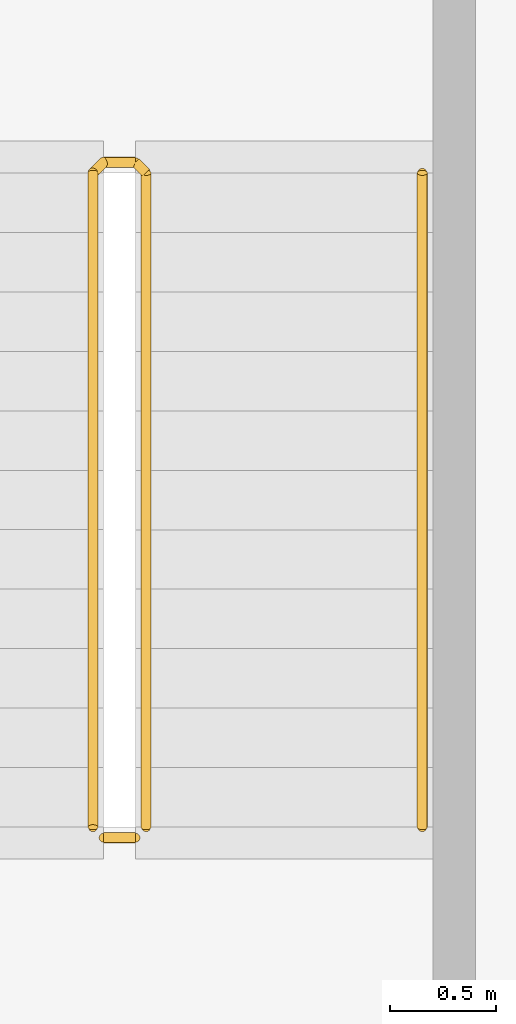
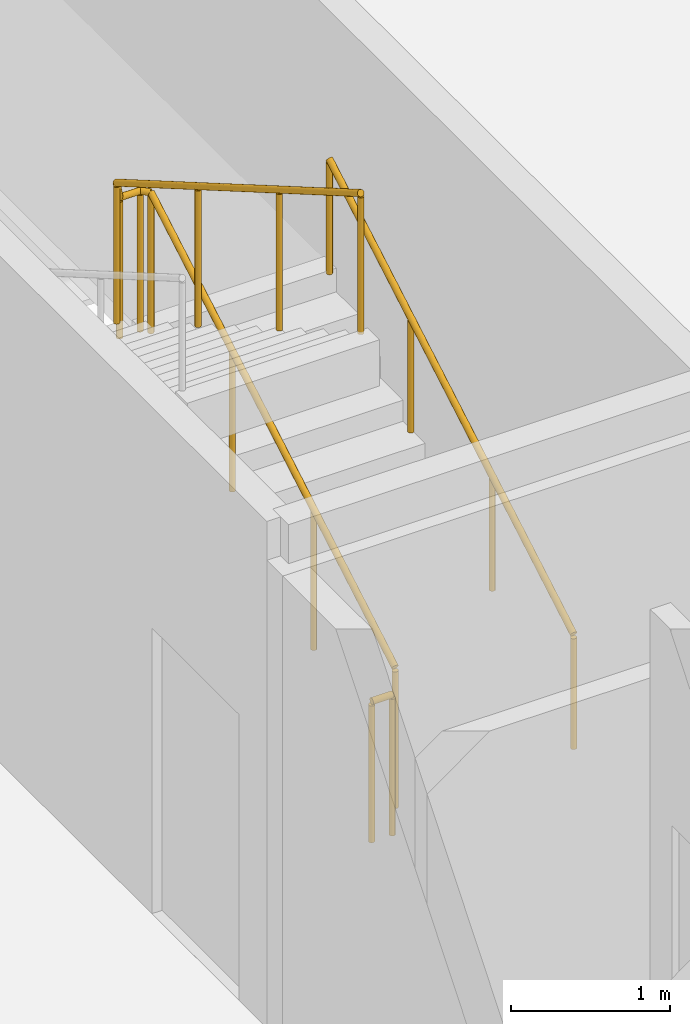
# One storey, part 18 of 19: 3 railings.
"""IFC4 building model written with IfcOpenShell, lengths in metres."""

from ifc_helpers import new_model, si_unit, direction, frame, origin, origin_2d, place, context, subcontext, project, spatial, circle, extrude, material, type_object, element, save


model = new_model("IFC4")

# Units and contexts
model_context = context("Model", 3, precision=1e-05, world=origin(), true_north=direction((0.0, 1.0)))
body_context = subcontext(model_context, "Body", "Model", "MODEL_VIEW")
ifc_project = project(units=[si_unit("LENGTHUNIT", "METRE"), si_unit("AREAUNIT", "SQUARE_METRE"), si_unit("VOLUMEUNIT", "CUBIC_METRE"), si_unit("PLANEANGLEUNIT", "RADIAN"), si_unit("MASSUNIT", "GRAM", prefix="KILO")], contexts=[model_context])

# Site, building, storey
site_placement = place(None, origin())
site = spatial("IfcSite", under=ifc_project, at=site_placement, CompositionType="ELEMENT")
building_placement = place(site_placement, origin())
building = spatial("IfcBuilding", under=site, at=building_placement, Name="Kheshtan School and Residences Tower", CompositionType="ELEMENT")
storey_placement = place(building_placement, frame((0.0, 0.0, 353.89990234375)))
storey = spatial("IfcBuildingStorey", under=building, at=storey_placement, Name="L83", CompositionType="ELEMENT", Elevation=353.89990234375)

# Railings
ifc_material_1 = material(Name="Stainless steel balustrade", Category="steel")
railing_type_1 = type_object("IfcRailingType", Name="Stair guard 1100", PredefinedType="GUARDRAIL", material=ifc_material_1)
railing_1_placement = place(storey_placement, frame((35.0, 80.89990234375, 0.16259765625)))
element("IfcRailing", 1, at=railing_1_placement, inside=storey, type_object=railing_type_1, Name="L83 ST3 stair guard 1", PredefinedType="GUARDRAIL", context=body_context, shape_type="SweptSolid", body=[
    extrude(circle(Radius=0.02392578125, at=origin_2d()), frame((0.0, 0.0, 1.076171875), z_axis=(0.0, 0.864890721111, 0.501960198159), x_axis=(-1.0, 0.0, 0.0)), (0.0, 0.0, 1.0), 3.561279296875),
    extrude(circle(Radius=0.02392578125, at=origin_2d()), frame((0.0, 3.080078125, 2.86376953125), z_axis=(-0.707106781187, 0.707106781187, 0.0), x_axis=(-0.707106781187, -0.707106781187, 0.0)), (0.0, 0.0, 1.0), 0.07080078125),
    extrude(circle(Radius=0.02392578125, at=origin_2d()), frame((-0.050048828125, 3.130126953125, 2.86376953125), z_axis=(-1.0, 0.0, 0.0), x_axis=(0.0, -1.0, 0.0)), (0.0, 0.0, 1.0), 0.14990234375),
    extrude(circle(Radius=0.02392578125, at=origin_2d()), frame((-0.199951171875, 3.130126953125, 2.86376953125), z_axis=(-0.282583949758, -0.282583949758, 0.916674763849), x_axis=(0.707106781187, -0.707106781187, 0.0)), (0.0, 0.0, 1.0), 0.177001953125),
    extrude(circle(Radius=0.02392578125, at=origin_2d()), frame((-0.25, 3.080078125, 3.02587890625), z_axis=(0.0, -0.864890721111, 0.501960198159), x_axis=(1.0, 0.0, 0.0)), (0.0, 0.0, 1.0), 3.561279296875),
    extrude(circle(Radius=0.02099609375, at=origin_2d()), origin(), (0.0, 0.0, 1.0), 1.052001953125),
    extrude(circle(Radius=0.02099609375, at=origin_2d()), frame((0.0, 1.026611328125, 0.595947265625)), (0.0, 0.0, 1.0), 1.052001953125),
    extrude(circle(Radius=0.02099609375, at=origin_2d()), frame((0.0, 2.053466796875, 1.191650390625)), (0.0, 0.0, 1.0), 1.052001953125),
    extrude(circle(Radius=0.02099609375, at=origin_2d()), frame((0.0, 3.080078125, 1.78759765625)), (0.0, 0.0, 1.0), 1.052001953125),
    extrude(circle(Radius=0.02099609375, at=origin_2d()), frame((-0.050048828125, 3.130126953125, 1.78759765625)), (0.0, 0.0, 1.0), 1.052001953125),
    extrude(circle(Radius=0.02099609375, at=origin_2d()), frame((-0.199951171875, 3.130126953125, 1.78759765625)), (0.0, 0.0, 1.0), 1.052001953125),
    extrude(circle(Radius=0.02099609375, at=origin_2d()), frame((-0.25, 3.080078125, 1.949951171875)), (0.0, 0.0, 1.0), 1.052001953125),
    extrude(circle(Radius=0.02099609375, at=origin_2d()), frame((-0.25, 2.053466796875, 2.5458984375)), (0.0, 0.0, 1.0), 1.052001953125),
    extrude(circle(Radius=0.02099609375, at=origin_2d()), frame((-0.25, 1.026611328125, 3.1416015625)), (0.0, 0.0, 1.0), 1.052001953125),
    extrude(circle(Radius=0.02099609375, at=origin_2d()), frame((-0.25, 0.0, 3.737548828125)), (0.0, 0.0, 1.0), 1.052001953125),
])
railing_2_placement = place(storey_placement, frame((34.949951171875, 80.85009765625, 0.0)))
element("IfcRailing", 2, at=railing_2_placement, inside=storey, type_object=railing_type_1, Name="L83 ST3 stair guard 2", PredefinedType="GUARDRAIL", context=body_context, shape_type="SweptSolid", body=[
    extrude(circle(Radius=0.02392578125, at=origin_2d()), frame((0.0, 0.0, 1.076171875), z_axis=(-1.0, 0.0, 0.0), x_axis=(0.0, -1.0, 0.0)), (0.0, 0.0, 1.0), 0.14990234375),
    extrude(circle(Radius=0.02099609375, at=origin_2d()), origin(), (0.0, 0.0, 1.0), 1.052001953125),
    extrude(circle(Radius=0.02099609375, at=origin_2d()), frame((-0.14990234375, 0.0, 0.0)), (0.0, 0.0, 1.0), 1.052001953125),
])
ifc_material_2 = material(Name="Stainless steel handrail", Category="steel")
railing_type_2 = type_object("IfcRailingType", Name="Stair handrail 900", PredefinedType="HANDRAIL", material=ifc_material_2)
railing_3_placement = place(storey_placement, frame((36.300048828125, 80.89990234375, 0.16259765625)))
element("IfcRailing", 3, at=railing_3_placement, inside=storey, type_object=railing_type_2, Name="L83 ST3 stair handrail 1", PredefinedType="HANDRAIL", context=body_context, shape_type="SweptSolid", body=[
    extrude(circle(Radius=0.02392578125, at=origin_2d()), frame((0.0, 0.0, 0.8759765625), z_axis=(0.0, 0.864890721111, 0.501960198159), x_axis=(-1.0, 0.0, 0.0)), (0.0, 0.0, 1.0), 3.561279296875),
    extrude(circle(Radius=0.02099609375, at=origin_2d()), origin(), (0.0, 0.0, 1.0), 0.851806640625),
    extrude(circle(Radius=0.02099609375, at=origin_2d()), frame((0.0, 1.026611328125, 0.595947265625)), (0.0, 0.0, 1.0), 0.851806640625),
    extrude(circle(Radius=0.02099609375, at=origin_2d()), frame((0.0, 2.053466796875, 1.191650390625)), (0.0, 0.0, 1.0), 0.851806640625),
    extrude(circle(Radius=0.02099609375, at=origin_2d()), frame((0.0, 3.080078125, 1.78759765625)), (0.0, 0.0, 1.0), 0.851806640625),
])

save(model, "model.ifc")
